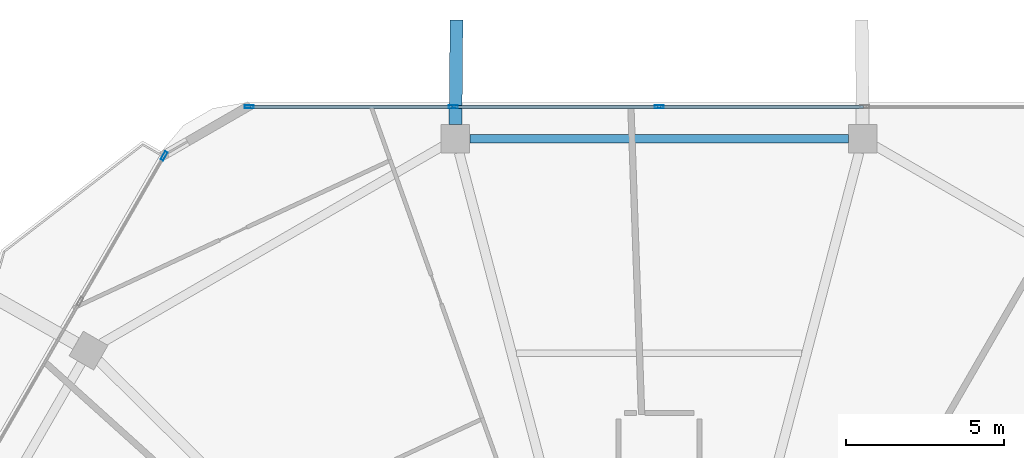
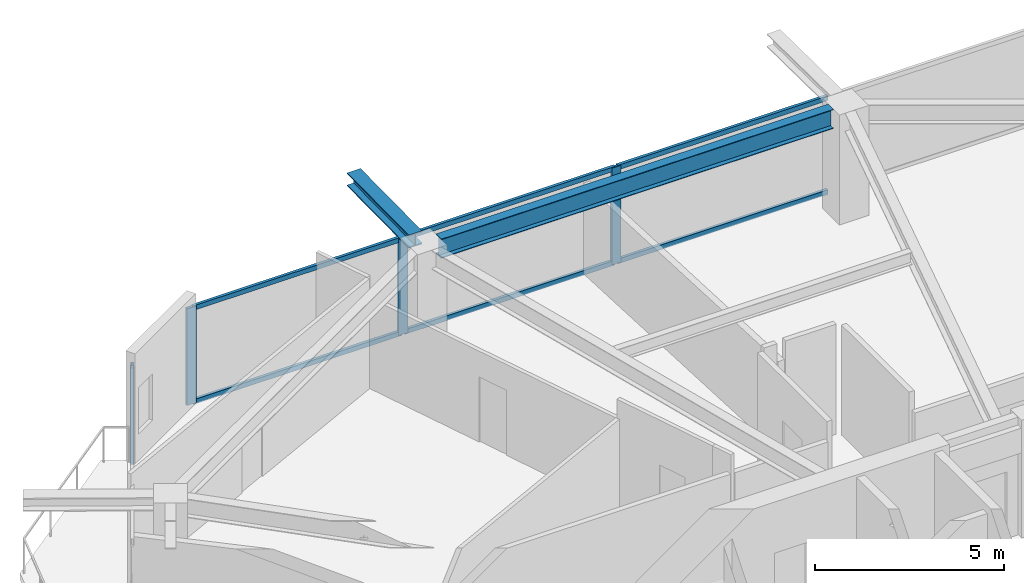
# One storey, part 13 of 25: 10 members, 2 beams, 2 elements without a shape of their own.
"""IFC4 building model written with IfcOpenShell, lengths in metres."""

from ifc_helpers import new_model, si_unit, direction, frame, origin, origin_2d, place, context, subcontext, project, spatial, hollow_rectangle, i_section, extrude, material, material_profile, profile_set, type_object, element, aggregate, save


model = new_model("IFC4")

# Units and contexts
model_context = context("Model", 3, precision=1e-05, world=origin(), true_north=direction((0.0, 1.0)))
body_context = subcontext(model_context, "Body", "Model", "MODEL_VIEW")
ifc_project = project(units=[si_unit("LENGTHUNIT", "METRE"), si_unit("AREAUNIT", "SQUARE_METRE"), si_unit("VOLUMEUNIT", "CUBIC_METRE"), si_unit("PLANEANGLEUNIT", "RADIAN"), si_unit("MASSUNIT", "GRAM", prefix="KILO")], contexts=[model_context])

# Site, building, storey
site_placement = place(None, origin())
site = spatial("IfcSite", under=ifc_project, at=site_placement, CompositionType="ELEMENT")
building_placement = place(site_placement, origin())
building = spatial("IfcBuilding", under=site, at=building_placement, Name="Zuhravey Tower", CompositionType="ELEMENT")
storey_placement = place(building_placement, frame((0.0, 0.0, 235.0)))
storey = spatial("IfcBuildingStorey", under=building, at=storey_placement, Name="L59", CompositionType="ELEMENT", Elevation=235.0)

# Curtain wall, member
ifc_material_1 = material(Name="Thermally broken anodised aluminium", Category="aluminium")
curtain_wall_type = type_object("IfcCurtainWallType", Name="Zone 3-4 High-Rise Curtain Wall CW4", PredefinedType="NOTDEFINED", material=ifc_material_1)
curtain_wall_1_placement = place(storey_placement, origin())
curtain_wall_1 = element("IfcCurtainWall", 1, at=curtain_wall_1_placement, inside=storey, type_object=curtain_wall_type, Name="L59 CW4 CW-L59-F3-2", PredefinedType="NOTDEFINED")
ifc_material_2 = material(Name="Anodised aluminium", Category="aluminium")
ifc_material_profile_1 = material_profile(ifc_material_2, hollow_rectangle(XDim=0.090087890625, YDim=0.284912109375, WallThickness=0.0048828125, at=origin_2d()), Name="ALU-RHS-90x285x5")
ifc_profile_set_1 = profile_set([ifc_material_profile_1], Name="Anodised aluminium")
member_type_1 = type_object("IfcMemberType", Name="Curtain-Wall Mullion 90x180", PredefinedType="MULLION", material=ifc_profile_set_1)
member_1_placement = place(storey_placement, frame((20.34521484375, 56.01220703125, 0.0), z_axis=(0.0, 0.0, 1.0), x_axis=(-0.866026709558, 0.499997738327, 0.0)))
member_1 = element("IfcMember", 2, at=member_1_placement, type_object=member_type_1, Name="CW4 mullion 3", PredefinedType="MULLION", context=body_context, shape_type="SweptSolid", body=[
    extrude(hollow_rectangle(XDim=0.090087890625, YDim=0.284912109375, WallThickness=0.0048828125, at=origin_2d()), origin(), (0.0, 0.0, 1.0), 3.1220703125),
])
aggregate(curtain_wall_1, [member_1])

# Curtain wall, members
curtain_wall_2_placement = place(storey_placement, origin())
curtain_wall_2 = element("IfcCurtainWall", 3, at=curtain_wall_2_placement, inside=storey, type_object=curtain_wall_type, Name="L59 CW4 CW-L59-F2-1", PredefinedType="NOTDEFINED")
member_2_placement = place(storey_placement, frame((23.0322265625, 57.563720703125, 0.0), z_axis=(0.0, 0.0, 1.0), x_axis=(0.0, 1.0, 0.0)))
member_2 = element("IfcMember", 4, at=member_2_placement, type_object=member_type_1, Name="CW4 mullion 1", PredefinedType="MULLION", context=body_context, shape_type="SweptSolid", body=[
    extrude(hollow_rectangle(XDim=0.090087890625, YDim=0.284912109375, WallThickness=0.0048828125, at=origin_2d()), origin(), (0.0, 0.0, 1.0), 3.1220703125),
])
member_3_placement = place(storey_placement, frame((29.49365234375, 57.563720703125, 0.0), z_axis=(0.0, 0.0, 1.0), x_axis=(0.0, 1.0, 0.0)))
member_3 = element("IfcMember", 5, at=member_3_placement, type_object=member_type_1, Name="CW4 mullion 2", PredefinedType="MULLION", context=body_context, shape_type="SweptSolid", body=[
    extrude(hollow_rectangle(XDim=0.090087890625, YDim=0.284912109375, WallThickness=0.0048828125, at=origin_2d()), origin(), (0.0, 0.0, 1.0), 3.1220703125),
])
member_4_placement = place(storey_placement, frame((36.0, 57.563720703125, 0.0), z_axis=(0.0, 0.0, 1.0), x_axis=(0.0, 1.0, 0.0)))
member_4 = element("IfcMember", 6, at=member_4_placement, type_object=member_type_1, Name="CW4 mullion 3", PredefinedType="MULLION", context=body_context, shape_type="SweptSolid", body=[
    extrude(hollow_rectangle(XDim=0.090087890625, YDim=0.284912109375, WallThickness=0.0048828125, at=origin_2d()), origin(), (0.0, 0.0, 1.0), 3.1220703125),
])
ifc_material_profile_2 = material_profile(ifc_material_2, hollow_rectangle(XDim=0.090087890625, YDim=0.14990234375, WallThickness=0.0048828125, at=origin_2d()), Name="ALU-RHS-90x150x5")
ifc_profile_set_2 = profile_set([ifc_material_profile_2], Name="Anodised aluminium")
member_type_2 = type_object("IfcMemberType", Name="Curtain-Wall Transom 90x150", PredefinedType="USERDEFINED", material=ifc_profile_set_2)
member_5_placement = place(storey_placement, frame((23.077392578125, 57.563720703125, 0.044921875), z_axis=(1.0, 0.0, 0.0), x_axis=(0.0, 1.0, 0.0)))
member_5 = element("IfcMember", 7, at=member_5_placement, type_object=member_type_2, Name="CW4 transom 1.1", ObjectType="TRANSOM", PredefinedType="USERDEFINED", context=body_context, shape_type="SweptSolid", body=[
    extrude(hollow_rectangle(XDim=0.090087890625, YDim=0.14990234375, WallThickness=0.0048828125, at=origin_2d()), origin(), (0.0, 0.0, 1.0), 6.371337890625),
])
member_6_placement = place(storey_placement, frame((23.077392578125, 57.563720703125, 3.076904296875), z_axis=(1.0, 0.0, 0.0), x_axis=(0.0, 1.0, 0.0)))
member_6 = element("IfcMember", 8, at=member_6_placement, type_object=member_type_2, Name="CW4 transom 1.2", ObjectType="TRANSOM", PredefinedType="USERDEFINED", context=body_context, shape_type="SweptSolid", body=[
    extrude(hollow_rectangle(XDim=0.090087890625, YDim=0.14990234375, WallThickness=0.0048828125, at=origin_2d()), origin(), (0.0, 0.0, 1.0), 6.371337890625),
])
member_7_placement = place(storey_placement, frame((29.53857421875, 57.563720703125, 0.044921875), z_axis=(1.0, 0.0, 0.0), x_axis=(0.0, 1.0, 0.0)))
member_7 = element("IfcMember", 9, at=member_7_placement, type_object=member_type_2, Name="CW4 transom 2.1", ObjectType="TRANSOM", PredefinedType="USERDEFINED", context=body_context, shape_type="SweptSolid", body=[
    extrude(hollow_rectangle(XDim=0.090087890625, YDim=0.14990234375, WallThickness=0.0048828125, at=origin_2d()), origin(), (0.0, 0.0, 1.0), 6.41650390625),
])
member_8_placement = place(storey_placement, frame((29.53857421875, 57.563720703125, 3.076904296875), z_axis=(1.0, 0.0, 0.0), x_axis=(0.0, 1.0, 0.0)))
member_8 = element("IfcMember", 10, at=member_8_placement, type_object=member_type_2, Name="CW4 transom 2.2", ObjectType="TRANSOM", PredefinedType="USERDEFINED", context=body_context, shape_type="SweptSolid", body=[
    extrude(hollow_rectangle(XDim=0.090087890625, YDim=0.14990234375, WallThickness=0.0048828125, at=origin_2d()), origin(), (0.0, 0.0, 1.0), 6.41650390625),
])
member_9_placement = place(storey_placement, frame((36.044921875, 57.563720703125, 0.044921875), z_axis=(1.0, 0.0, 0.0), x_axis=(0.0, 1.0, 0.0)))
member_9 = element("IfcMember", 11, at=member_9_placement, type_object=member_type_2, Name="CW4 transom 3.1", ObjectType="TRANSOM", PredefinedType="USERDEFINED", context=body_context, shape_type="SweptSolid", body=[
    extrude(hollow_rectangle(XDim=0.090087890625, YDim=0.14990234375, WallThickness=0.0048828125, at=origin_2d()), origin(), (0.0, 0.0, 1.0), 6.41650390625),
])
member_10_placement = place(storey_placement, frame((36.044921875, 57.563720703125, 3.076904296875), z_axis=(1.0, 0.0, 0.0), x_axis=(0.0, 1.0, 0.0)))
member_10 = element("IfcMember", 12, at=member_10_placement, type_object=member_type_2, Name="CW4 transom 3.2", ObjectType="TRANSOM", PredefinedType="USERDEFINED", context=body_context, shape_type="SweptSolid", body=[
    extrude(hollow_rectangle(XDim=0.090087890625, YDim=0.14990234375, WallThickness=0.0048828125, at=origin_2d()), origin(), (0.0, 0.0, 1.0), 6.41650390625),
])
aggregate(curtain_wall_2, [member_2, member_3, member_4, member_5, member_6, member_7, member_8, member_9, member_10])

# Beams
ifc_material_3 = material(Name="Steel SM460", Category="steel")
ifc_material_profile_3 = material_profile(ifc_material_3, i_section(OverallWidth=0.406982421875, OverallDepth=0.427978515625, WebThickness=0.02001953125, FlangeThickness=0.034912109375, at=origin_2d()), Name="H-428x407x20x35")
ifc_profile_set_3 = profile_set([ifc_material_profile_3], Name="Steel SM460")
beam_type_1 = type_object("IfcBeamType", Name="Exoskeleton Node Tie Beam H428x407", PredefinedType="BEAM", material=ifc_profile_set_3)
beam_1_placement = place(storey_placement, frame((29.56298828125, 57.007568359375, 3.3359375), z_axis=(0.008874733692, 0.999960618776, 0.0), x_axis=(-0.999960618776, 0.008874733692, 0.0)))
element("IfcBeam", 13, at=beam_1_placement, inside=storey, type_object=beam_type_1, Name="L59 Exoskeleton Node Tie NT1-04", PredefinedType="BEAM", context=body_context, shape_type="SweptSolid", body=[
    extrude(i_section(OverallWidth=0.406982421875, OverallDepth=0.427978515625, WebThickness=0.02001953125, FlangeThickness=0.034912109375, at=origin_2d()), origin(), (0.0, 0.0, 1.0), 3.30126953125),
])
ifc_material_4 = material(Name="Steel SM355", Category="steel")
ifc_material_profile_4 = material_profile(ifc_material_4, i_section(OverallWidth=0.280029296875, OverallDepth=0.6201171875, WebThickness=0.011962890625, FlangeThickness=0.02001953125, at=origin_2d()), Name="H-620x280x12x20")
ifc_profile_set_4 = profile_set([ifc_material_profile_4], Name="Steel SM355")
beam_type_2 = type_object("IfcBeamType", Name="Perimeter Ring Beam H620x280", PredefinedType="BEAM", material=ifc_profile_set_4)
beam_2_placement = place(storey_placement, frame((41.98779296875, 56.5537109375, 3.239990234375), z_axis=(-1.0, 0.0, 0.0), x_axis=(0.0, -1.0, 0.0)))
element("IfcBeam", 14, at=beam_2_placement, inside=storey, type_object=beam_type_2, Name="L59 PB3 BM-L59-PB-03", PredefinedType="BEAM", context=body_context, shape_type="SweptSolid", body=[
    extrude(i_section(OverallWidth=0.280029296875, OverallDepth=0.6201171875, WebThickness=0.011962890625, FlangeThickness=0.02001953125, at=origin_2d()), origin(), (0.0, 0.0, 1.0), 11.9755859375),
])

save(model, "model.ifc")
